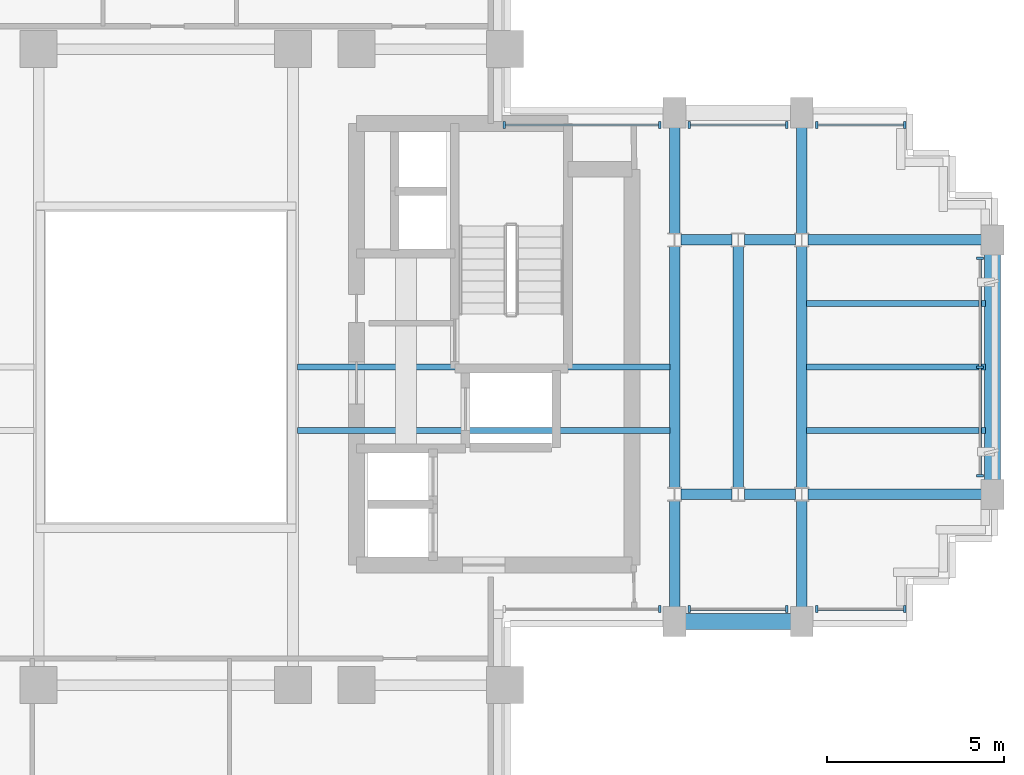
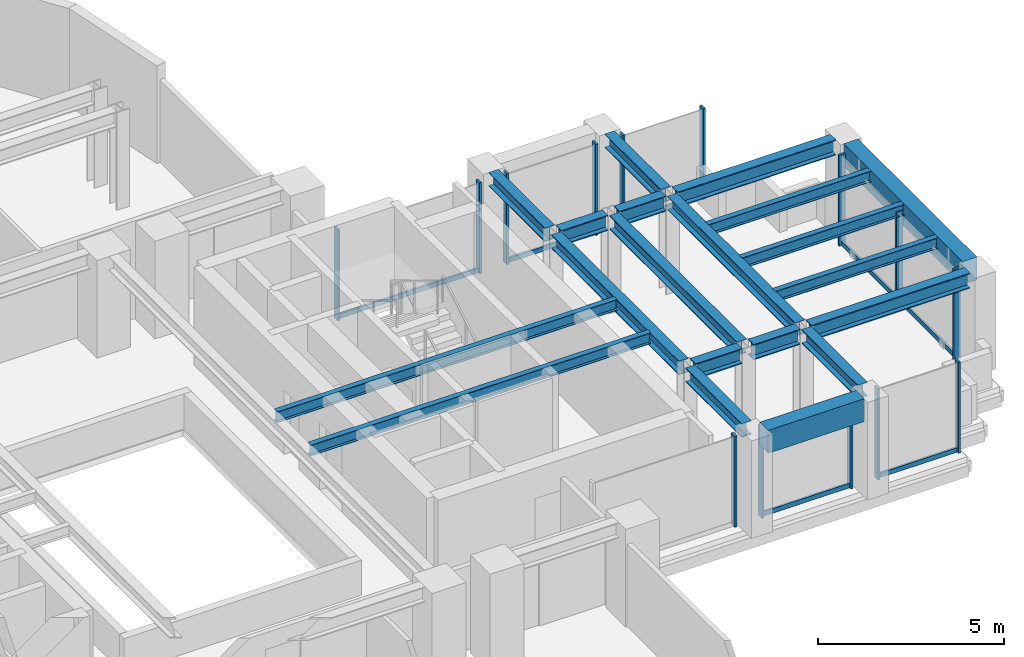
# One storey, part 5 of 13: 21 members, 20 beams, 7 elements without a shape of their own.
"""IFC4 building model written with IfcOpenShell, lengths in metres."""

from ifc_helpers import new_model, si_unit, direction, frame, origin, origin_2d, place, context, subcontext, project, spatial, rectangle, i_section, extrude, source, transform, mapped, material, material_profile, profile_set, type_object, element, aggregate, save


model = new_model("IFC4")

# Units and contexts
model_context = context("Model", 3, precision=1e-05, world=origin(), true_north=direction((0.0, 1.0)))
body_context = subcontext(model_context, "Body", "Model", "MODEL_VIEW")
ifc_project = project(units=[si_unit("LENGTHUNIT", "METRE"), si_unit("AREAUNIT", "SQUARE_METRE"), si_unit("VOLUMEUNIT", "CUBIC_METRE"), si_unit("PLANEANGLEUNIT", "RADIAN"), si_unit("MASSUNIT", "GRAM", prefix="KILO")], contexts=[model_context])

# Site, building, storey
site_placement = place(None, origin())
site = spatial("IfcSite", under=ifc_project, at=site_placement, CompositionType="ELEMENT")
building_placement = place(site_placement, origin())
building = spatial("IfcBuilding", under=site, at=building_placement, Name="Keilestroom Media Tower", CompositionType="ELEMENT")
storey_placement = place(building_placement, frame((0.0, 0.0, 141.39990234375)))
storey = spatial("IfcBuildingStorey", under=building, at=storey_placement, Name="L38", CompositionType="ELEMENT", Elevation=141.39990234375)

# Beams
ifc_material_1 = material(Name="Steel S355", Category="steel")
ifc_material_profile_1 = material_profile(ifc_material_1, i_section(OverallWidth=0.169921875, OverallDepth=0.360107421875, WebThickness=0.008056640625, FlangeThickness=0.0126953125, at=origin_2d()), Name="IPE 360")
ifc_profile_set_1 = profile_set([ifc_material_profile_1], Name="Steel S355")
beam_type_1 = type_object("IfcBeamType", Name="Secondary-Floor-Joist-IPE-360", PredefinedType="JOIST", material=ifc_profile_set_1)
shared_shape_1 = source(origin(), body_context, "Body", "SweptSolid", [
    extrude(i_section(OverallWidth=0.169921875, OverallDepth=0.360107421875, WebThickness=0.008056640625, FlangeThickness=0.0126953125, at=origin_2d()), origin(), (0.0, 0.0, 1.0), 10.5400390625),
])
for number, where, z_axis, x_axis, name in (
    (1, (3.72998046875, -1.800048828125, 3.02001953125), (1.0, 0.0, 0.0), (0.0, 1.0, 0.0), "L38 Beam BJ-5 JST-L38-074"),
    (2, (3.72998046875, 0.0, 3.02001953125), (1.0, 0.0, 0.0), (0.0, 1.0, 0.0), "L38 Beam BJ-5 JST-L38-079"),
):
    element("IfcBeam", number, at=place(storey_placement, frame(where, z_axis=z_axis, x_axis=x_axis)), inside=storey, type_object=beam_type_1, Name=name, PredefinedType="JOIST", context=body_context, shape_type="MappedRepresentation", body=[
        mapped(shared_shape_1, transform((0.0, 0.0, 0.0), x_axis=(1.0, 0.0, 0.0), y_axis=(0.0, 1.0, 0.0), z_axis=(0.0, 0.0, 1.0), scale=1.0)),
    ])
ifc_material_2 = material(Name="Precast concrete C40/50", Category="concrete")
ifc_material_profile_2 = material_profile(ifc_material_2, rectangle(XDim=0.449951171875, YDim=0.75, at=origin_2d()), Name="PC 450x750")
ifc_profile_set_2 = profile_set([ifc_material_profile_2], Name="Precast concrete C40/50")
beam_type_2 = type_object("IfcBeamType", Name="Perimeter-Spandrel-Beam-PC-450x750", PredefinedType="SPANDREL", material=ifc_profile_set_2)
shared_shape_2 = source(origin(), body_context, "Body", "SweptSolid", [
    extrude(rectangle(XDim=0.449951171875, YDim=0.75, at=origin_2d()), origin(), (0.0, 0.0, 1.0), 2.989990234375),
])
beam_1_placement = place(storey_placement, frame((14.705078125, -7.199951171875, 2.8251953125), z_axis=(1.0, 0.0, 0.0), x_axis=(0.0, 1.0, 0.0)))
element("IfcBeam", 3, at=beam_1_placement, inside=storey, type_object=beam_type_2, Name="L38 Beam SPB-1 BM-L38-EW-013", PredefinedType="SPANDREL", context=body_context, shape_type="MappedRepresentation", body=[
    mapped(shared_shape_2, transform((0.0, 0.0, 0.0), x_axis=(1.0, 0.0, 0.0), y_axis=(0.0, 1.0, 0.0), z_axis=(0.0, 0.0, 1.0), scale=1.0)),
])
ifc_material_profile_3 = material_profile(ifc_material_1, i_section(OverallWidth=0.300048828125, OverallDepth=0.5, WebThickness=0.012451171875, FlangeThickness=0.028076171875, at=origin_2d()), Name="HEB 500")
ifc_profile_set_3 = profile_set([ifc_material_profile_3], Name="Steel S355")
beam_type_3 = type_object("IfcBeamType", Name="Primary-Structural-Girder-HEB-500", PredefinedType="BEAM", material=ifc_profile_set_3)
shared_shape_3 = source(origin(), body_context, "Body", "SweptSolid", [
    extrude(i_section(OverallWidth=0.300048828125, OverallDepth=0.5, WebThickness=0.012451171875, FlangeThickness=0.028076171875, at=origin_2d()), origin(), (0.0, 0.0, 1.0), 4.91455078125),
])
for number, where, z_axis, x_axis, name in (
    (4, (18.180419921875, -3.60009765625, 2.9501953125), (1.0, 0.0, 0.0), (0.0, 1.0, 0.0), "L38 Beam BG-6 BM-L38-EW-019"),
    (5, (18.180419921875, 3.60009765625, 2.9501953125), (1.0, 0.0, 0.0), (0.0, 1.0, 0.0), "L38 Beam BG-6 BM-L38-EW-025"),
):
    element("IfcBeam", number, at=place(storey_placement, frame(where, z_axis=z_axis, x_axis=x_axis)), inside=storey, type_object=beam_type_3, Name=name, PredefinedType="BEAM", context=body_context, shape_type="MappedRepresentation", body=[
        mapped(shared_shape_3, transform((0.0, 0.0, 0.0), x_axis=(1.0, 0.0, 0.0), y_axis=(0.0, 1.0, 0.0), z_axis=(0.0, 0.0, 1.0), scale=1.0)),
    ])
shared_shape_4 = source(origin(), body_context, "Body", "SweptSolid", [
    extrude(i_section(OverallWidth=0.300048828125, OverallDepth=0.5, WebThickness=0.012451171875, FlangeThickness=0.028076171875, at=origin_2d()), origin(), (0.0, 0.0, 1.0), 1.43896484375),
])
for number, where, z_axis, x_axis, name in (
    (6, (14.58056640625, -3.60009765625, 2.9501953125), (1.0, 0.0, 0.0), (0.0, 1.0, 0.0), "L38 Beam BG-6 BM-L38-EW-017"),
    (7, (16.380615234375, -3.60009765625, 2.9501953125), (1.0, 0.0, 0.0), (0.0, 1.0, 0.0), "L38 Beam BG-6 BM-L38-EW-018"),
    (8, (14.58056640625, 3.60009765625, 2.9501953125), (1.0, 0.0, 0.0), (0.0, 1.0, 0.0), "L38 Beam BG-6 BM-L38-EW-023"),
    (9, (16.380615234375, 3.60009765625, 2.9501953125), (1.0, 0.0, 0.0), (0.0, 1.0, 0.0), "L38 Beam BG-6 BM-L38-EW-024"),
):
    element("IfcBeam", number, at=place(storey_placement, frame(where, z_axis=z_axis, x_axis=x_axis)), inside=storey, type_object=beam_type_3, Name=name, PredefinedType="BEAM", context=body_context, shape_type="MappedRepresentation", body=[
        mapped(shared_shape_4, transform((0.0, 0.0, 0.0), x_axis=(1.0, 0.0, 0.0), y_axis=(0.0, 1.0, 0.0), z_axis=(0.0, 0.0, 1.0), scale=1.0)),
    ])
shared_shape_5 = source(origin(), body_context, "Body", "SweptSolid", [
    extrude(rectangle(XDim=0.449951171875, YDim=0.75, at=origin_2d()), origin(), (0.0, 0.0, 1.0), 6.39013671875),
])
beam_2_placement = place(storey_placement, frame((23.39990234375, -3.195068359375, 2.8251953125), z_axis=(0.0, 1.0, 0.0), x_axis=(-1.0, 0.0, 0.0)))
element("IfcBeam", 10, at=beam_2_placement, inside=storey, type_object=beam_type_2, Name="L38 Beam SPB-1 BM-L38-NS-068", PredefinedType="SPANDREL", context=body_context, shape_type="MappedRepresentation", body=[
    mapped(shared_shape_5, transform((0.0, 0.0, 0.0), x_axis=(1.0, 0.0, 0.0), y_axis=(0.0, 1.0, 0.0), z_axis=(0.0, 0.0, 1.0), scale=1.0)),
])
ifc_material_profile_4 = material_profile(ifc_material_1, i_section(OverallWidth=0.300048828125, OverallDepth=0.449951171875, WebThickness=0.011962890625, FlangeThickness=0.02587890625, at=origin_2d()), Name="HEB 450")
ifc_profile_set_4 = profile_set([ifc_material_profile_4], Name="Steel S355")
beam_type_4 = type_object("IfcBeamType", Name="Primary-Structural-Girder-HEB-450", PredefinedType="BEAM", material=ifc_profile_set_4)
shared_shape_6 = source(origin(), body_context, "Body", "SweptSolid", [
    extrude(i_section(OverallWidth=0.300048828125, OverallDepth=0.449951171875, WebThickness=0.011962890625, FlangeThickness=0.02587890625, at=origin_2d()), origin(), (0.0, 0.0, 1.0), 3.015380859375),
])
for number, where, z_axis, x_axis, name in (
    (11, (14.39990234375, -6.794921875, 2.97509765625), (0.0, 1.0, 0.0), (-1.0, 0.0, 0.0), "L38 Beam BG-7 BM-L38-NS-061"),
    (12, (14.39990234375, 3.779541015625, 2.97509765625), (0.0, 1.0, 0.0), (-1.0, 0.0, 0.0), "L38 Beam BG-7 BM-L38-NS-063"),
    (13, (18.0, -6.794921875, 2.97509765625), (0.0, 1.0, 0.0), (-1.0, 0.0, 0.0), "L38 Beam BG-7 BM-L38-NS-065"),
    (14, (18.0, 3.779541015625, 2.97509765625), (0.0, 1.0, 0.0), (-1.0, 0.0, 0.0), "L38 Beam BG-7 BM-L38-NS-067"),
):
    element("IfcBeam", number, at=place(storey_placement, frame(where, z_axis=z_axis, x_axis=x_axis)), inside=storey, type_object=beam_type_4, Name=name, PredefinedType="BEAM", context=body_context, shape_type="MappedRepresentation", body=[
        mapped(shared_shape_6, transform((0.0, 0.0, 0.0), x_axis=(1.0, 0.0, 0.0), y_axis=(0.0, 1.0, 0.0), z_axis=(0.0, 0.0, 1.0), scale=1.0)),
    ])
shared_shape_7 = source(origin(), body_context, "Body", "SweptSolid", [
    extrude(i_section(OverallWidth=0.300048828125, OverallDepth=0.449951171875, WebThickness=0.011962890625, FlangeThickness=0.02587890625, at=origin_2d()), origin(), (0.0, 0.0, 1.0), 6.8408203125),
])
for number, where, z_axis, x_axis, name in (
    (15, (14.39990234375, -3.42041015625, 2.97509765625), (0.0, 1.0, 0.0), (-1.0, 0.0, 0.0), "L38 Beam BG-7 BM-L38-NS-062"),
    (16, (16.199951171875, -3.42041015625, 2.97509765625), (0.0, 1.0, 0.0), (-1.0, 0.0, 0.0), "L38 Beam BG-7 BM-L38-NS-064"),
    (17, (18.0, -3.42041015625, 2.97509765625), (0.0, 1.0, 0.0), (-1.0, 0.0, 0.0), "L38 Beam BG-7 BM-L38-NS-066"),
):
    element("IfcBeam", number, at=place(storey_placement, frame(where, z_axis=z_axis, x_axis=x_axis)), inside=storey, type_object=beam_type_4, Name=name, PredefinedType="BEAM", context=body_context, shape_type="MappedRepresentation", body=[
        mapped(shared_shape_7, transform((0.0, 0.0, 0.0), x_axis=(1.0, 0.0, 0.0), y_axis=(0.0, 1.0, 0.0), z_axis=(0.0, 0.0, 1.0), scale=1.0)),
    ])
shared_shape_8 = source(origin(), body_context, "Body", "SweptSolid", [
    extrude(i_section(OverallWidth=0.169921875, OverallDepth=0.360107421875, WebThickness=0.008056640625, FlangeThickness=0.0126953125, at=origin_2d()), origin(), (0.0, 0.0, 1.0), 5.065185546875),
])
for number, where, z_axis, x_axis, name in (
    (18, (18.1298828125, -1.800048828125, 3.02001953125), (1.0, 0.0, 0.0), (0.0, 1.0, 0.0), "L38 Beam BJ-5 JST-L38-075"),
    (19, (18.1298828125, 0.0, 3.02001953125), (1.0, 0.0, 0.0), (0.0, 1.0, 0.0), "L38 Beam BJ-5 JST-L38-080"),
    (20, (18.1298828125, 1.800048828125, 3.02001953125), (1.0, 0.0, 0.0), (0.0, 1.0, 0.0), "L38 Beam BJ-5 JST-L38-085"),
):
    element("IfcBeam", number, at=place(storey_placement, frame(where, z_axis=z_axis, x_axis=x_axis)), inside=storey, type_object=beam_type_1, Name=name, PredefinedType="JOIST", context=body_context, shape_type="MappedRepresentation", body=[
        mapped(shared_shape_8, transform((0.0, 0.0, 0.0), x_axis=(1.0, 0.0, 0.0), y_axis=(0.0, 1.0, 0.0), z_axis=(0.0, 0.0, 1.0), scale=1.0)),
    ])

# Curtain wall, members
ifc_material_3 = material(Name="Anodised Aluminium Alloy", Category="aluminium")
curtain_wall_type = type_object("IfcCurtainWallType", Name="Unitised-Curtain-Wall-CW-2", PredefinedType="NOTDEFINED", material=ifc_material_3)
curtain_wall_1_placement = place(storey_placement, origin())
curtain_wall_1 = element("IfcCurtainWall", 21, at=curtain_wall_1_placement, inside=storey, type_object=curtain_wall_type, Name="L38 Curtain Wall CW-2 CW-L38-E-1", PredefinedType="NOTDEFINED")
ifc_material_profile_5 = material_profile(ifc_material_3, rectangle(XDim=0.070068359375, YDim=0.199951171875, at=origin_2d()), Name="ALU MULLION 70x200")
ifc_profile_set_5 = profile_set([ifc_material_profile_5], Name="Anodised Aluminium Alloy")
member_type_1 = type_object("IfcMemberType", Name="Curtain-Wall-Mullion-CW-2", PredefinedType="MULLION", material=ifc_profile_set_5)
shared_shape_9 = source(origin(), body_context, "Body", "SweptSolid", [
    extrude(rectangle(XDim=0.070068359375, YDim=0.199951171875, at=origin_2d()), origin(), (0.0, 0.0, 1.0), 2.97998046875),
])
member_1_placement = place(storey_placement, frame((23.050048828125, -3.080078125, 0.0), z_axis=(0.0, 0.0, 1.0), x_axis=(0.0, 1.0, 0.0)))
member_1 = element("IfcMember", 22, at=member_1_placement, type_object=member_type_1, Name="CW-2 Mullion 00", PredefinedType="MULLION", context=body_context, shape_type="MappedRepresentation", body=[
    mapped(shared_shape_9, transform((0.0, 0.0, 0.0), x_axis=(1.0, 0.0, 0.0), y_axis=(0.0, 1.0, 0.0), z_axis=(0.0, 0.0, 1.0), scale=1.0)),
])
member_2_placement = place(storey_placement, frame((23.050048828125, 0.0, 0.0), z_axis=(0.0, 0.0, 1.0), x_axis=(0.0, 1.0, 0.0)))
member_2 = element("IfcMember", 23, at=member_2_placement, type_object=member_type_1, Name="CW-2 Mullion 01", PredefinedType="MULLION", context=body_context, shape_type="MappedRepresentation", body=[
    mapped(shared_shape_9, transform((0.0, 0.0, 0.0), x_axis=(1.0, 0.0, 0.0), y_axis=(0.0, 1.0, 0.0), z_axis=(0.0, 0.0, 1.0), scale=1.0)),
])
member_3_placement = place(storey_placement, frame((23.050048828125, 3.080078125, 0.0), z_axis=(0.0, 0.0, 1.0), x_axis=(0.0, 1.0, 0.0)))
member_3 = element("IfcMember", 24, at=member_3_placement, type_object=member_type_1, Name="CW-2 Mullion 02", PredefinedType="MULLION", context=body_context, shape_type="MappedRepresentation", body=[
    mapped(shared_shape_9, transform((0.0, 0.0, 0.0), x_axis=(1.0, 0.0, 0.0), y_axis=(0.0, 1.0, 0.0), z_axis=(0.0, 0.0, 1.0), scale=1.0)),
])

curtain_wall_2_placement = place(storey_placement, origin())
curtain_wall_2 = element("IfcCurtainWall", 25, at=curtain_wall_2_placement, inside=storey, type_object=curtain_wall_type, Name="L38 Curtain Wall CW-2 CW-L38-NE-1", PredefinedType="NOTDEFINED")
member_4_placement = place(storey_placement, frame((9.5849609375, 6.85009765625, 0.0), z_axis=(0.0, 0.0, 1.0), x_axis=(1.0, 0.0, 0.0)))
member_4 = element("IfcMember", 26, at=member_4_placement, type_object=member_type_1, Name="CW-2 Mullion 00", PredefinedType="MULLION", context=body_context, shape_type="MappedRepresentation", body=[
    mapped(shared_shape_9, transform((0.0, 0.0, 0.0), x_axis=(1.0, 0.0, 0.0), y_axis=(0.0, 1.0, 0.0), z_axis=(0.0, 0.0, 1.0), scale=1.0)),
])
member_5_placement = place(storey_placement, frame((13.97998046875, 6.85009765625, 0.0), z_axis=(0.0, 0.0, 1.0), x_axis=(1.0, 0.0, 0.0)))
member_5 = element("IfcMember", 27, at=member_5_placement, type_object=member_type_1, Name="CW-2 Mullion 01", PredefinedType="MULLION", context=body_context, shape_type="MappedRepresentation", body=[
    mapped(shared_shape_9, transform((0.0, 0.0, 0.0), x_axis=(1.0, 0.0, 0.0), y_axis=(0.0, 1.0, 0.0), z_axis=(0.0, 0.0, 1.0), scale=1.0)),
])

curtain_wall_3_placement = place(storey_placement, origin())
curtain_wall_3 = element("IfcCurtainWall", 28, at=curtain_wall_3_placement, inside=storey, type_object=curtain_wall_type, Name="L38 Curtain Wall CW-2 CW-L38-NE-2", PredefinedType="NOTDEFINED")
member_6_placement = place(storey_placement, frame((14.820068359375, 6.85009765625, 0.0), z_axis=(0.0, 0.0, 1.0), x_axis=(1.0, 0.0, 0.0)))
member_6 = element("IfcMember", 29, at=member_6_placement, type_object=member_type_1, Name="CW-2 Mullion 00", PredefinedType="MULLION", context=body_context, shape_type="MappedRepresentation", body=[
    mapped(shared_shape_9, transform((0.0, 0.0, 0.0), x_axis=(1.0, 0.0, 0.0), y_axis=(0.0, 1.0, 0.0), z_axis=(0.0, 0.0, 1.0), scale=1.0)),
])
member_7_placement = place(storey_placement, frame((17.580078125, 6.85009765625, 0.0), z_axis=(0.0, 0.0, 1.0), x_axis=(1.0, 0.0, 0.0)))
member_7 = element("IfcMember", 30, at=member_7_placement, type_object=member_type_1, Name="CW-2 Mullion 01", PredefinedType="MULLION", context=body_context, shape_type="MappedRepresentation", body=[
    mapped(shared_shape_9, transform((0.0, 0.0, 0.0), x_axis=(1.0, 0.0, 0.0), y_axis=(0.0, 1.0, 0.0), z_axis=(0.0, 0.0, 1.0), scale=1.0)),
])

curtain_wall_4_placement = place(storey_placement, origin())
curtain_wall_4 = element("IfcCurtainWall", 31, at=curtain_wall_4_placement, inside=storey, type_object=curtain_wall_type, Name="L38 Curtain Wall CW-2 CW-L38-NE-3", PredefinedType="NOTDEFINED")
member_8_placement = place(storey_placement, frame((18.419921875, 6.85009765625, 0.0), z_axis=(0.0, 0.0, 1.0), x_axis=(1.0, 0.0, 0.0)))
member_8 = element("IfcMember", 32, at=member_8_placement, type_object=member_type_1, Name="CW-2 Mullion 00", PredefinedType="MULLION", context=body_context, shape_type="MappedRepresentation", body=[
    mapped(shared_shape_9, transform((0.0, 0.0, 0.0), x_axis=(1.0, 0.0, 0.0), y_axis=(0.0, 1.0, 0.0), z_axis=(0.0, 0.0, 1.0), scale=1.0)),
])
member_9_placement = place(storey_placement, frame((20.9150390625, 6.85009765625, 0.0), z_axis=(0.0, 0.0, 1.0), x_axis=(1.0, 0.0, 0.0)))
member_9 = element("IfcMember", 33, at=member_9_placement, type_object=member_type_1, Name="CW-2 Mullion 01", PredefinedType="MULLION", context=body_context, shape_type="MappedRepresentation", body=[
    mapped(shared_shape_9, transform((0.0, 0.0, 0.0), x_axis=(1.0, 0.0, 0.0), y_axis=(0.0, 1.0, 0.0), z_axis=(0.0, 0.0, 1.0), scale=1.0)),
])

# Curtain wall, member
curtain_wall_5_placement = place(storey_placement, origin())
curtain_wall_5 = element("IfcCurtainWall", 34, at=curtain_wall_5_placement, inside=storey, type_object=curtain_wall_type, Name="L38 Curtain Wall CW-2 CW-L38-SE-1", PredefinedType="NOTDEFINED")
member_10_placement = place(storey_placement, frame((13.97998046875, -6.85009765625, 0.0), z_axis=(0.0, 0.0, 1.0), x_axis=(1.0, 0.0, 0.0)))
member_10 = element("IfcMember", 35, at=member_10_placement, type_object=member_type_1, Name="CW-2 Mullion 01", PredefinedType="MULLION", context=body_context, shape_type="MappedRepresentation", body=[
    mapped(shared_shape_9, transform((0.0, 0.0, 0.0), x_axis=(1.0, 0.0, 0.0), y_axis=(0.0, 1.0, 0.0), z_axis=(0.0, 0.0, 1.0), scale=1.0)),
])
aggregate(curtain_wall_5, [member_10])

# Curtain wall, members
curtain_wall_6_placement = place(storey_placement, origin())
curtain_wall_6 = element("IfcCurtainWall", 36, at=curtain_wall_6_placement, inside=storey, type_object=curtain_wall_type, Name="L38 Curtain Wall CW-2 CW-L38-SE-2", PredefinedType="NOTDEFINED")
member_11_placement = place(storey_placement, frame((14.820068359375, -6.85009765625, 0.0), z_axis=(0.0, 0.0, 1.0), x_axis=(1.0, 0.0, 0.0)))
member_11 = element("IfcMember", 37, at=member_11_placement, type_object=member_type_1, Name="CW-2 Mullion 00", PredefinedType="MULLION", context=body_context, shape_type="MappedRepresentation", body=[
    mapped(shared_shape_9, transform((0.0, 0.0, 0.0), x_axis=(1.0, 0.0, 0.0), y_axis=(0.0, 1.0, 0.0), z_axis=(0.0, 0.0, 1.0), scale=1.0)),
])
member_12_placement = place(storey_placement, frame((17.580078125, -6.85009765625, 0.0), z_axis=(0.0, 0.0, 1.0), x_axis=(1.0, 0.0, 0.0)))
member_12 = element("IfcMember", 38, at=member_12_placement, type_object=member_type_1, Name="CW-2 Mullion 01", PredefinedType="MULLION", context=body_context, shape_type="MappedRepresentation", body=[
    mapped(shared_shape_9, transform((0.0, 0.0, 0.0), x_axis=(1.0, 0.0, 0.0), y_axis=(0.0, 1.0, 0.0), z_axis=(0.0, 0.0, 1.0), scale=1.0)),
])

curtain_wall_7_placement = place(storey_placement, origin())
curtain_wall_7 = element("IfcCurtainWall", 39, at=curtain_wall_7_placement, inside=storey, type_object=curtain_wall_type, Name="L38 Curtain Wall CW-2 CW-L38-SE-3", PredefinedType="NOTDEFINED")
member_13_placement = place(storey_placement, frame((18.419921875, -6.85009765625, 0.0), z_axis=(0.0, 0.0, 1.0), x_axis=(1.0, 0.0, 0.0)))
member_13 = element("IfcMember", 40, at=member_13_placement, type_object=member_type_1, Name="CW-2 Mullion 00", PredefinedType="MULLION", context=body_context, shape_type="MappedRepresentation", body=[
    mapped(shared_shape_9, transform((0.0, 0.0, 0.0), x_axis=(1.0, 0.0, 0.0), y_axis=(0.0, 1.0, 0.0), z_axis=(0.0, 0.0, 1.0), scale=1.0)),
])
member_14_placement = place(storey_placement, frame((20.9150390625, -6.85009765625, 0.0), z_axis=(0.0, 0.0, 1.0), x_axis=(1.0, 0.0, 0.0)))
member_14 = element("IfcMember", 41, at=member_14_placement, type_object=member_type_1, Name="CW-2 Mullion 01", PredefinedType="MULLION", context=body_context, shape_type="MappedRepresentation", body=[
    mapped(shared_shape_9, transform((0.0, 0.0, 0.0), x_axis=(1.0, 0.0, 0.0), y_axis=(0.0, 1.0, 0.0), z_axis=(0.0, 0.0, 1.0), scale=1.0)),
])

# Member
ifc_material_profile_6 = material_profile(ifc_material_3, rectangle(XDim=0.06494140625, YDim=0.14990234375, at=origin_2d()), Name="ALU TRANSOM 65x150")
ifc_profile_set_6 = profile_set([ifc_material_profile_6], Name="Anodised Aluminium Alloy")
member_type_2 = type_object("IfcMemberType", Name="Curtain-Wall-Transom-CW-2", PredefinedType="USERDEFINED", material=ifc_profile_set_6)
shared_shape_10 = source(origin(), body_context, "Body", "SweptSolid", [
    extrude(rectangle(XDim=0.06494140625, YDim=0.14990234375, at=origin_2d()), origin(), (0.0, 0.0, 1.0), 2.42919921875),
])
member_15_placement = place(storey_placement, frame((18.452880859375, 6.85009765625, 0.0751953125), z_axis=(1.0, 0.0, 0.0), x_axis=(0.0, 1.0, 0.0)))
member_15 = element("IfcMember", 42, at=member_15_placement, type_object=member_type_2, Name="CW-2 Transom 00.1", ObjectType="TRANSOM", PredefinedType="USERDEFINED", context=body_context, shape_type="MappedRepresentation", body=[
    mapped(shared_shape_10, transform((0.0, 0.0, 0.0), x_axis=(1.0, 0.0, 0.0), y_axis=(0.0, 1.0, 0.0), z_axis=(0.0, 0.0, 1.0), scale=1.0)),
])

aggregate(curtain_wall_4, [member_8, member_9, member_15])

member_16_placement = place(storey_placement, frame((18.452880859375, -6.85009765625, 0.0751953125), z_axis=(1.0, 0.0, 0.0), x_axis=(0.0, 1.0, 0.0)))
member_16 = element("IfcMember", 43, at=member_16_placement, type_object=member_type_2, Name="CW-2 Transom 00.1", ObjectType="TRANSOM", PredefinedType="USERDEFINED", context=body_context, shape_type="MappedRepresentation", body=[
    mapped(shared_shape_10, transform((0.0, 0.0, 0.0), x_axis=(1.0, 0.0, 0.0), y_axis=(0.0, 1.0, 0.0), z_axis=(0.0, 0.0, 1.0), scale=1.0)),
])

aggregate(curtain_wall_7, [member_13, member_14, member_16])

shared_shape_11 = source(origin(), body_context, "Body", "SweptSolid", [
    extrude(rectangle(XDim=0.06494140625, YDim=0.14990234375, at=origin_2d()), origin(), (0.0, 0.0, 1.0), 2.694091796875),
])
member_17_placement = place(storey_placement, frame((14.85302734375, 6.85009765625, 0.0751953125), z_axis=(1.0, 0.0, 0.0), x_axis=(0.0, 1.0, 0.0)))
member_17 = element("IfcMember", 44, at=member_17_placement, type_object=member_type_2, Name="CW-2 Transom 00.1", ObjectType="TRANSOM", PredefinedType="USERDEFINED", context=body_context, shape_type="MappedRepresentation", body=[
    mapped(shared_shape_11, transform((0.0, 0.0, 0.0), x_axis=(1.0, 0.0, 0.0), y_axis=(0.0, 1.0, 0.0), z_axis=(0.0, 0.0, 1.0), scale=1.0)),
])

aggregate(curtain_wall_3, [member_6, member_7, member_17])

member_18_placement = place(storey_placement, frame((14.85302734375, -6.85009765625, 0.0751953125), z_axis=(1.0, 0.0, 0.0), x_axis=(0.0, 1.0, 0.0)))
member_18 = element("IfcMember", 45, at=member_18_placement, type_object=member_type_2, Name="CW-2 Transom 00.1", ObjectType="TRANSOM", PredefinedType="USERDEFINED", context=body_context, shape_type="MappedRepresentation", body=[
    mapped(shared_shape_11, transform((0.0, 0.0, 0.0), x_axis=(1.0, 0.0, 0.0), y_axis=(0.0, 1.0, 0.0), z_axis=(0.0, 0.0, 1.0), scale=1.0)),
])

aggregate(curtain_wall_6, [member_11, member_12, member_18])

shared_shape_12 = source(origin(), body_context, "Body", "SweptSolid", [
    extrude(rectangle(XDim=0.06494140625, YDim=0.14990234375, at=origin_2d()), origin(), (0.0, 0.0, 1.0), 4.3291015625),
])
member_19_placement = place(storey_placement, frame((9.617919921875, 6.85009765625, 0.0751953125), z_axis=(1.0, 0.0, 0.0), x_axis=(0.0, 1.0, 0.0)))
member_19 = element("IfcMember", 46, at=member_19_placement, type_object=member_type_2, Name="CW-2 Transom 00.1", ObjectType="TRANSOM", PredefinedType="USERDEFINED", context=body_context, shape_type="MappedRepresentation", body=[
    mapped(shared_shape_12, transform((0.0, 0.0, 0.0), x_axis=(1.0, 0.0, 0.0), y_axis=(0.0, 1.0, 0.0), z_axis=(0.0, 0.0, 1.0), scale=1.0)),
])

aggregate(curtain_wall_2, [member_4, member_5, member_19])

shared_shape_13 = source(origin(), body_context, "Body", "SweptSolid", [
    extrude(rectangle(XDim=0.06494140625, YDim=0.14990234375, at=origin_2d()), origin(), (0.0, 0.0, 1.0), 3.01416015625),
])
member_20_placement = place(storey_placement, frame((23.050048828125, -3.047119140625, 0.0751953125), z_axis=(0.0, 1.0, 0.0), x_axis=(-1.0, 0.0, 0.0)))
member_20 = element("IfcMember", 47, at=member_20_placement, type_object=member_type_2, Name="CW-2 Transom 00.1", ObjectType="TRANSOM", PredefinedType="USERDEFINED", context=body_context, shape_type="MappedRepresentation", body=[
    mapped(shared_shape_13, transform((0.0, 0.0, 0.0), x_axis=(1.0, 0.0, 0.0), y_axis=(0.0, 1.0, 0.0), z_axis=(0.0, 0.0, 1.0), scale=1.0)),
])

member_21_placement = place(storey_placement, frame((23.050048828125, 0.032958984375, 0.0751953125), z_axis=(0.0, 1.0, 0.0), x_axis=(-1.0, 0.0, 0.0)))
member_21 = element("IfcMember", 48, at=member_21_placement, type_object=member_type_2, Name="CW-2 Transom 01.1", ObjectType="TRANSOM", PredefinedType="USERDEFINED", context=body_context, shape_type="MappedRepresentation", body=[
    mapped(shared_shape_13, transform((0.0, 0.0, 0.0), x_axis=(1.0, 0.0, 0.0), y_axis=(0.0, 1.0, 0.0), z_axis=(0.0, 0.0, 1.0), scale=1.0)),
])

aggregate(curtain_wall_1, [member_1, member_2, member_3, member_20, member_21])

save(model, "model.ifc")
